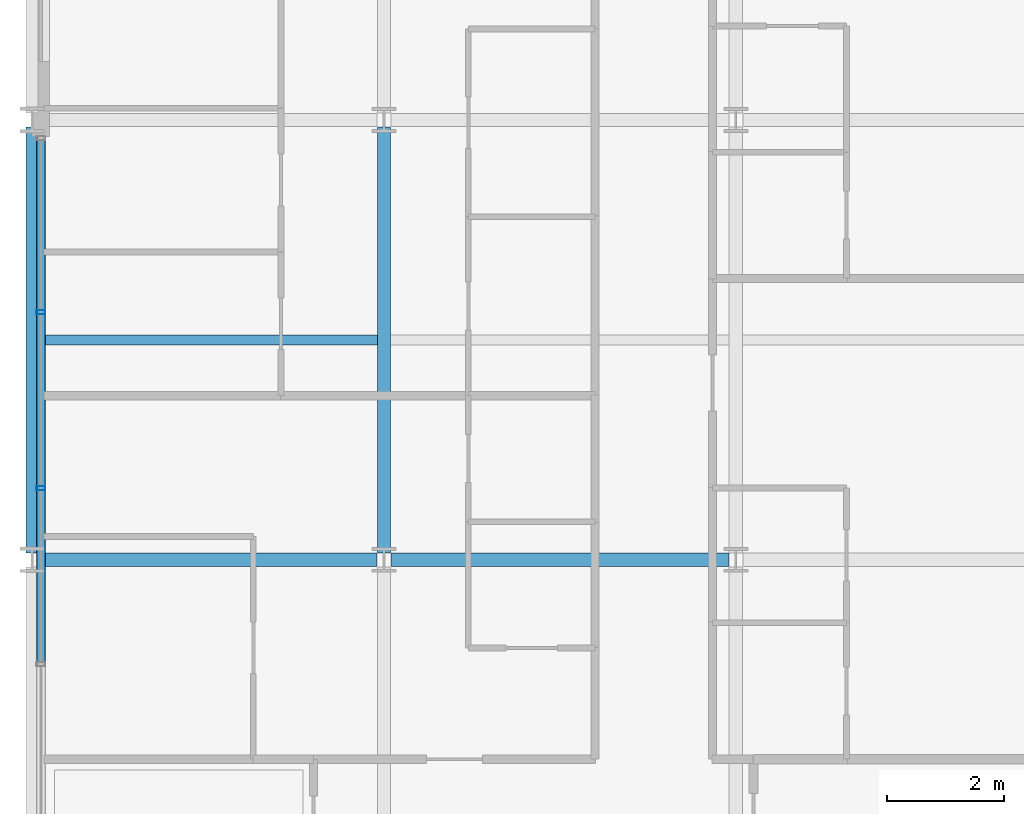
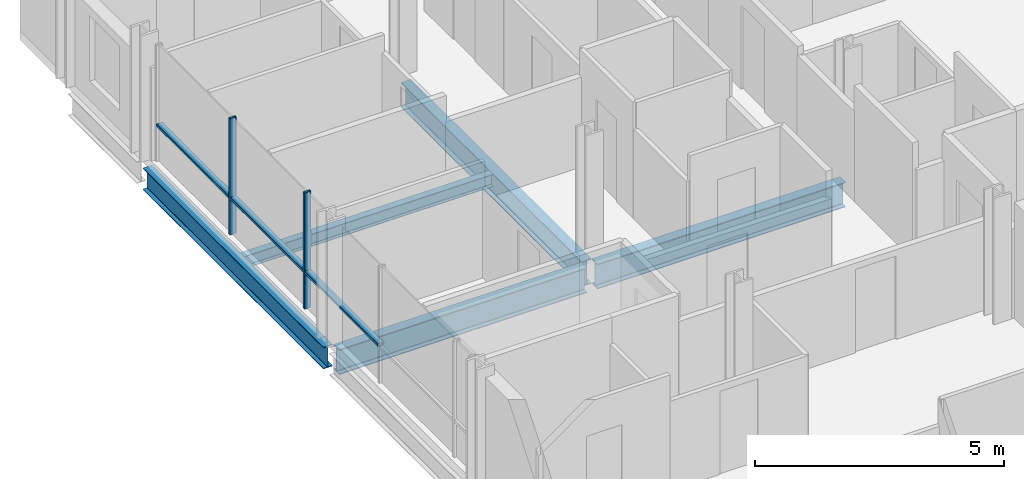
# One storey, part 5 of 40: 5 beams, 5 members, 1 element without a shape of its own.
"""IFC4 building model written with IfcOpenShell, lengths in metres."""

from ifc_helpers import new_model, si_unit, direction, frame, origin, origin_2d, place, context, subcontext, project, spatial, hollow_rectangle, i_section, extrude, material, layer, layer_set, material_profile, profile_set, type_object, element, aggregate, save


model = new_model("IFC4")

# Units and contexts
model_context = context("Model", 3, precision=1e-05, world=origin(), true_north=direction((0.0, 1.0)))
body_context = subcontext(model_context, "Body", "Model", "MODEL_VIEW")
ifc_project = project(units=[si_unit("LENGTHUNIT", "METRE"), si_unit("AREAUNIT", "SQUARE_METRE"), si_unit("VOLUMEUNIT", "CUBIC_METRE"), si_unit("PLANEANGLEUNIT", "RADIAN"), si_unit("MASSUNIT", "GRAM", prefix="KILO")], contexts=[model_context])

# Site, building, storey
site_placement = place(None, origin())
site = spatial("IfcSite", under=ifc_project, at=site_placement, CompositionType="ELEMENT")
building_placement = place(site_placement, origin())
building = spatial("IfcBuilding", under=site, at=building_placement, Name="Brevholm Reach", CompositionType="ELEMENT")
storey_placement = place(building_placement, frame((0.0, 0.0, 131.39990234375)))
storey = spatial("IfcBuildingStorey", under=building, at=storey_placement, Name="L39", CompositionType="ELEMENT", Elevation=131.39990234375)

# Beams
ifc_material_1 = material(Name="Structural Steel S355J2", Category="steel")
ifc_material_profile_1 = material_profile(ifc_material_1, i_section(OverallWidth=0.1650390625, OverallDepth=0.303466796875, WebThickness=0.006103515625, FlangeThickness=0.01025390625, FilletRadius=0.0087890625, at=origin_2d()), Name="UKB 305x165x40")
ifc_profile_set_1 = profile_set([ifc_material_profile_1], Name="Structural Steel S355J2")
beam_type_1 = type_object("IfcBeamType", Name="BM-B305", PredefinedType="BEAM", material=ifc_profile_set_1)
beam_1_placement = place(storey_placement, frame((0.104736328125, 19.75, -0.37158203125), z_axis=(1.0, 0.0, 0.0), x_axis=(0.0, 1.0, 0.0)))
element("IfcBeam", 1, at=beam_1_placement, inside=storey, type_object=beam_type_1, Name="L39 Composite Secondary Floor Beam", PredefinedType="BEAM", context=body_context, shape_type="SweptSolid", body=[
    extrude(i_section(OverallWidth=0.1650390625, OverallDepth=0.303466796875, WebThickness=0.006103515625, FlangeThickness=0.01025390625, FilletRadius=0.0087890625, at=origin_2d()), origin(), (0.0, 0.0, 1.0), 5.78076171875),
])
ifc_material_2 = material(Name="Structural Steel S355J2", Category="steel")
ifc_material_profile_2 = material_profile(ifc_material_2, i_section(OverallWidth=0.209228515625, OverallDepth=0.533203125, WebThickness=0.010009765625, FlangeThickness=0.015625, FilletRadius=0.0126953125, at=origin_2d()), Name="UKB 533x210x92")
ifc_profile_set_2 = profile_set([ifc_material_profile_2], Name="Structural Steel S355J2")
beam_type_2 = type_object("IfcBeamType", Name="BM-SP533", PredefinedType="SPANDREL", material=ifc_profile_set_2)
beam_2_placement = place(storey_placement, frame((0.0, 16.1201171875, -0.486572265625), z_axis=(0.0, 1.0, 0.0), x_axis=(-1.0, 0.0, 0.0)))
element("IfcBeam", 2, at=beam_2_placement, inside=storey, type_object=beam_type_2, Name="L39 SP-02 Framing Beam", PredefinedType="SPANDREL", context=body_context, shape_type="SweptSolid", body=[
    extrude(i_section(OverallWidth=0.209228515625, OverallDepth=0.533203125, WebThickness=0.010009765625, FlangeThickness=0.015625, FilletRadius=0.0126953125, at=origin_2d()), origin(), (0.0, 0.0, 1.0), 7.259765625),
])
ifc_material_3 = material(Name="Structural Steel S355J2", Category="steel")
ifc_material_profile_3 = material_profile(ifc_material_3, i_section(OverallWidth=0.22900390625, OverallDepth=0.6123046875, WebThickness=0.011962890625, FlangeThickness=0.01953125, FilletRadius=0.0126953125, at=origin_2d()), Name="UKB 610x229x125")
ifc_profile_set_3 = profile_set([ifc_material_profile_3], Name="Structural Steel S355J2")
beam_type_3 = type_object("IfcBeamType", Name="BM-SP610", PredefinedType="SPANDREL", material=ifc_profile_set_3)
for number, where, z_axis, x_axis, name in (
    (3, (0.1201171875, 16.0, -0.526123046875), (1.0, 0.0, 0.0), (0.0, 1.0, 0.0), "L39 SP-01 Framing Beam"),
    (4, (6.1201171875, 16.0, -0.526123046875), (1.0, 0.0, 0.0), (0.0, 1.0, 0.0), "L39 SP-01 Framing Beam"),
):
    element("IfcBeam", number, at=place(storey_placement, frame(where, z_axis=z_axis, x_axis=x_axis)), inside=storey, type_object=beam_type_3, Name=name, PredefinedType="SPANDREL", context=body_context, shape_type="SweptSolid", body=[
        extrude(i_section(OverallWidth=0.22900390625, OverallDepth=0.6123046875, WebThickness=0.011962890625, FlangeThickness=0.01953125, FilletRadius=0.0126953125, at=origin_2d()), origin(), (0.0, 0.0, 1.0), 5.759765625),
    ])
beam_3_placement = place(storey_placement, frame((6.0, 16.1201171875, -0.526123046875), z_axis=(0.0, 1.0, 0.0), x_axis=(-1.0, 0.0, 0.0)))
element("IfcBeam", 5, at=beam_3_placement, inside=storey, type_object=beam_type_3, Name="L39 SP-01 Framing Beam", PredefinedType="SPANDREL", context=body_context, shape_type="SweptSolid", body=[
    extrude(i_section(OverallWidth=0.22900390625, OverallDepth=0.6123046875, WebThickness=0.011962890625, FlangeThickness=0.01953125, FilletRadius=0.0126953125, at=origin_2d()), origin(), (0.0, 0.0, 1.0), 7.259765625),
])

# Curtain wall, members
ifc_material_4 = material(Name="Dark Anodised Aluminium 6063-T6 and Solar-Control Glass", Category="aluminium")
ifc_layer = layer(ifc_material_4, 0.14990234375)
ifc_layer_set = layer_set([ifc_layer], Name="Dark Anodised Aluminium 6063-T6 and Solar-Control Glass")
curtain_wall_type = type_object("IfcCurtainWallType", Name="CW-01", PredefinedType="NOTDEFINED", material=ifc_layer_set)
curtain_wall_placement = place(storey_placement, origin())
curtain_wall = element("IfcCurtainWall", 6, at=curtain_wall_placement, inside=storey, type_object=curtain_wall_type, Name="L39 Curtain Wall CW-01", PredefinedType="NOTDEFINED")
ifc_material_5 = material(Name="Dark Anodised Aluminium 6063-T6", Category="aluminium")
ifc_material_profile_4 = material_profile(ifc_material_5, hollow_rectangle(XDim=0.06494140625, YDim=0.14990234375, WallThickness=0.0048828125, InnerFilletRadius=0.0048828125, OuterFilletRadius=0.010009765625, at=origin_2d()), Name="RHS 150x65x5")
ifc_profile_set_4 = profile_set([ifc_material_profile_4], Name="Dark Anodised Aluminium 6063-T6")
member_type_1 = type_object("IfcMemberType", Name="CWM-150", PredefinedType="MULLION", material=ifc_profile_set_4)
member_1_placement = place(storey_placement, frame((0.14990234375, 20.219970703125, 0.0), z_axis=(0.0, 0.0, 1.0), x_axis=(0.0, -1.0, 0.0)))
member_1 = element("IfcMember", 7, at=member_1_placement, type_object=member_type_1, Name="CM-150 Mullion 2", PredefinedType="MULLION", context=body_context, shape_type="SweptSolid", body=[
    extrude(hollow_rectangle(XDim=0.06494140625, YDim=0.14990234375, WallThickness=0.0048828125, InnerFilletRadius=0.0048828125, OuterFilletRadius=0.010009765625, at=origin_2d()), origin(), (0.0, 0.0, 1.0), 2.85009765625),
])
member_2_placement = place(storey_placement, frame((0.14990234375, 17.219970703125, 0.0), z_axis=(0.0, 0.0, 1.0), x_axis=(0.0, -1.0, 0.0)))
member_2 = element("IfcMember", 8, at=member_2_placement, type_object=member_type_1, Name="CM-150 Mullion 3", PredefinedType="MULLION", context=body_context, shape_type="SweptSolid", body=[
    extrude(hollow_rectangle(XDim=0.06494140625, YDim=0.14990234375, WallThickness=0.0048828125, InnerFilletRadius=0.0048828125, OuterFilletRadius=0.010009765625, at=origin_2d()), origin(), (0.0, 0.0, 1.0), 2.85009765625),
])
ifc_material_6 = material(Name="Dark Anodised Aluminium 6063-T6", Category="aluminium")
ifc_material_profile_5 = material_profile(ifc_material_6, hollow_rectangle(XDim=0.06494140625, YDim=0.14990234375, WallThickness=0.0048828125, InnerFilletRadius=0.0048828125, OuterFilletRadius=0.010009765625, at=origin_2d()), Name="RHS 150x65x5")
ifc_profile_set_5 = profile_set([ifc_material_profile_5], Name="Dark Anodised Aluminium 6063-T6")
member_type_2 = type_object("IfcMemberType", Name="CWT-150", PredefinedType="NOTDEFINED", material=ifc_profile_set_5)
member_3_placement = place(storey_placement, frame((0.14990234375, 23.155029296875, 0.900146484375), z_axis=(0.0, -1.0, 0.0), x_axis=(0.0, 0.0, 1.0)))
member_3 = element("IfcMember", 9, at=member_3_placement, type_object=member_type_2, Name="CT-150 Transom 1.1", ObjectType="TRANSOM", PredefinedType="USERDEFINED", context=body_context, shape_type="SweptSolid", body=[
    extrude(hollow_rectangle(XDim=0.06494140625, YDim=0.14990234375, WallThickness=0.0048828125, InnerFilletRadius=0.0048828125, OuterFilletRadius=0.010009765625, at=origin_2d()), origin(), (0.0, 0.0, 1.0), 2.902587890625),
])
member_4_placement = place(storey_placement, frame((0.14990234375, 20.1875, 0.900146484375), z_axis=(0.0, -1.0, 0.0), x_axis=(0.0, 0.0, 1.0)))
member_4 = element("IfcMember", 10, at=member_4_placement, type_object=member_type_2, Name="CT-150 Transom 2.1", ObjectType="TRANSOM", PredefinedType="USERDEFINED", context=body_context, shape_type="SweptSolid", body=[
    extrude(hollow_rectangle(XDim=0.06494140625, YDim=0.14990234375, WallThickness=0.0048828125, InnerFilletRadius=0.0048828125, OuterFilletRadius=0.010009765625, at=origin_2d()), origin(), (0.0, 0.0, 1.0), 2.93505859375),
])
member_5_placement = place(storey_placement, frame((0.14990234375, 17.1875, 0.900146484375), z_axis=(0.0, -1.0, 0.0), x_axis=(0.0, 0.0, 1.0)))
member_5 = element("IfcMember", 11, at=member_5_placement, type_object=member_type_2, Name="CT-150 Transom 3.1", ObjectType="TRANSOM", PredefinedType="USERDEFINED", context=body_context, shape_type="SweptSolid", body=[
    extrude(hollow_rectangle(XDim=0.06494140625, YDim=0.14990234375, WallThickness=0.0048828125, InnerFilletRadius=0.0048828125, OuterFilletRadius=0.010009765625, at=origin_2d()), origin(), (0.0, 0.0, 1.0), 2.93505859375),
])
aggregate(curtain_wall, [member_1, member_2, member_3, member_4, member_5])

save(model, "model.ifc")
